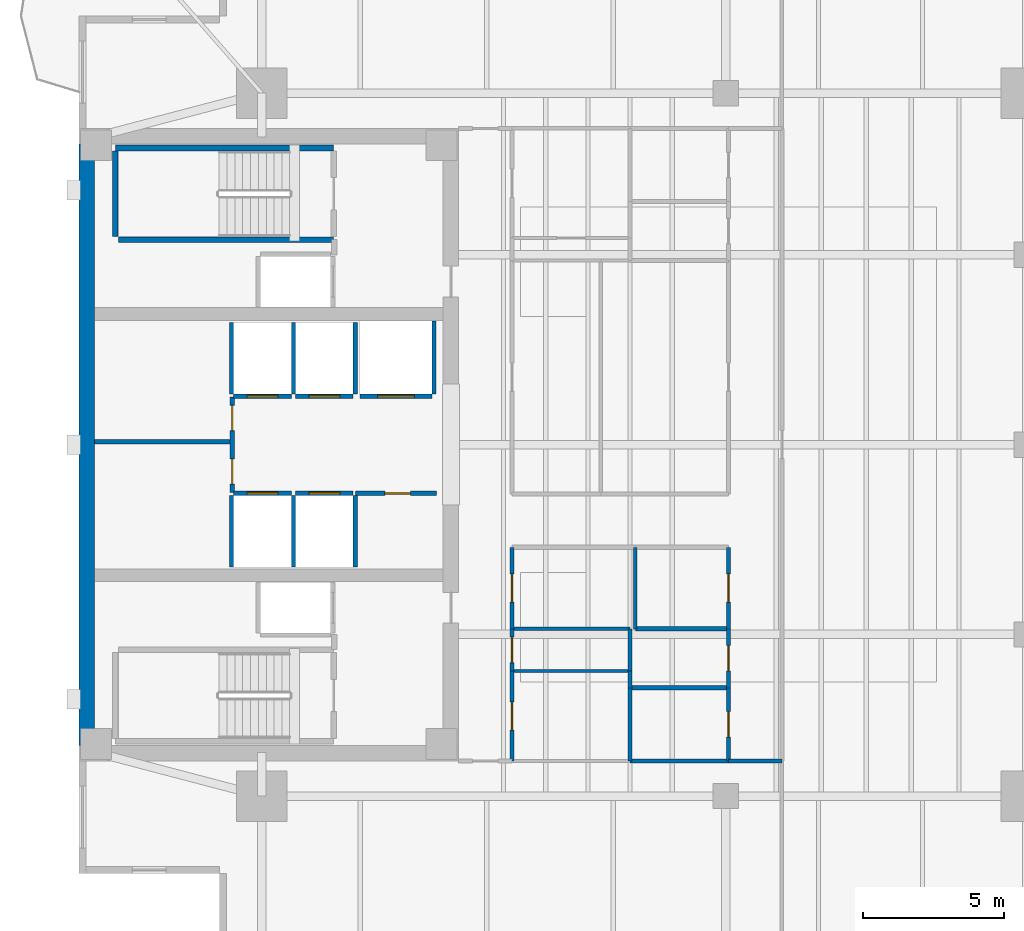
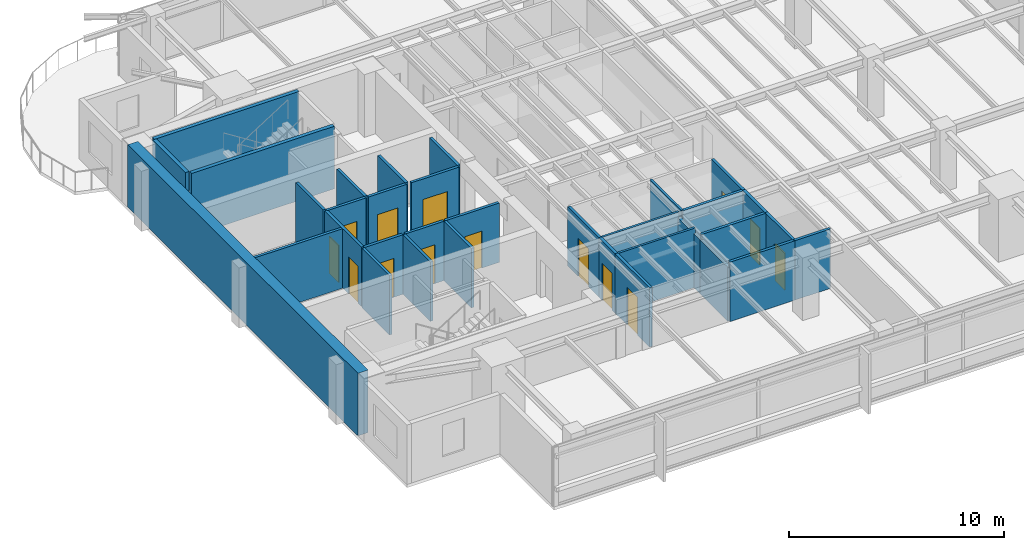
# One storey, part 8 of 14: 35 walls, 14 doors, 14 openings.
"""IFC4 building model written with IfcOpenShell, lengths in metres."""

from ifc_helpers import new_model, si_unit, direction, frame, frame_2d, origin, place, context, subcontext, project, spatial, rectangle, extrude, material, layer, layer_set, type_object, element, fill, save


model = new_model("IFC4")

# Units and contexts
model_context = context("Model", 3, precision=1e-05, world=origin(), true_north=direction((0.0, 1.0)))
body_context = subcontext(model_context, "Body", "Model", "MODEL_VIEW")
ifc_project = project(units=[si_unit("LENGTHUNIT", "METRE"), si_unit("AREAUNIT", "SQUARE_METRE"), si_unit("VOLUMEUNIT", "CUBIC_METRE"), si_unit("PLANEANGLEUNIT", "RADIAN"), si_unit("MASSUNIT", "GRAM", prefix="KILO")], contexts=[model_context])

# Site, building, storey
site_placement = place(None, origin())
site = spatial("IfcSite", under=ifc_project, at=site_placement, CompositionType="ELEMENT")
building_placement = place(site_placement, origin())
building = spatial("IfcBuilding", under=site, at=building_placement, Name="Kinhvarn Gate Tower", CompositionType="ELEMENT")
storey_placement = place(building_placement, frame((0.0, 0.0, 198.699951171875)))
storey = spatial("IfcBuildingStorey", under=building, at=storey_placement, Name="L52", CompositionType="ELEMENT", Elevation=198.699951171875)

# Walls
ifc_material_1 = material(Name="Concrete C60/75", Category="concrete")
ifc_layer_1 = layer(ifc_material_1, 0.550048828125)
ifc_layer_set_1 = layer_set([ifc_layer_1], Name="Concrete C60/75")
wall_type_1 = type_object("IfcWallType", Name="WL-COREX-550", PredefinedType="SHEAR", material=ifc_layer_set_1)
wall_1_placement = place(storey_placement, frame((4.77490234375, 14.550048828125, 0.0), z_axis=(0.0, 0.0, 1.0), x_axis=(0.0, 1.0, 0.0)))
element("IfcWall", 1, at=wall_1_placement, inside=storey, type_object=wall_type_1, Name="Core West Shear Wall L52 550 mm", PredefinedType="SHEAR", context=body_context, shape_type="SweptSolid", body=[
    extrude(rectangle(XDim=21.39990234375, YDim=0.550048828125, at=frame_2d((10.699951171875, 0.0))), origin(), (0.0, 0.0, 1.0), 3.550048828125),
])
ifc_material_2 = material(Name="Gypsum acoustic partition board")
ifc_layer_2 = layer(ifc_material_2, 0.14990234375)
ifc_layer_set_2 = layer_set([ifc_layer_2], Name="Gypsum acoustic partition board")
wall_type_2 = type_object("IfcWallType", Name="WL-PLM-150", PredefinedType="PLUMBINGWALL", material=ifc_layer_set_2)
wall_2_placement = place(storey_placement, frame((24.10009765625, 16.60009765625, 0.0), z_axis=(0.0, 0.0, 1.0), x_axis=(1.0, 0.0, 0.0)))
element("IfcWall", 2, at=wall_2_placement, inside=storey, type_object=wall_type_2, Name="Interior Partition PLW-150 (L52)", PredefinedType="PLUMBINGWALL", context=body_context, shape_type="SweptSolid", body=[
    extrude(rectangle(XDim=3.5, YDim=0.14990234375, at=frame_2d((1.75, 0.0))), origin(), (0.0, 0.0, 1.0), 3.3701171875),
])
wall_3_placement = place(storey_placement, frame((24.10009765625, 14.0, 0.0), z_axis=(0.0, 0.0, 1.0), x_axis=(0.0, 1.0, 0.0)))
element("IfcWall", 3, at=wall_3_placement, inside=storey, type_object=wall_type_2, Name="Interior Partition PLW-150 (L52)", PredefinedType="PLUMBINGWALL", context=body_context, shape_type="SweptSolid", body=[
    extrude(rectangle(XDim=2.60009765625, YDim=0.14990234375, at=frame_2d((1.300048828125, 0.0))), origin(), (0.0, 0.0, 1.0), 3.070068359375),
])
wall_4_placement = place(storey_placement, frame((24.10009765625, 14.0, 0.0), z_axis=(0.0, 0.0, 1.0), x_axis=(1.0, 0.0, 0.0)))
element("IfcWall", 4, at=wall_4_placement, inside=storey, type_object=wall_type_2, Name="Interior Partition PLW-150 (L52)", PredefinedType="PLUMBINGWALL", context=body_context, shape_type="SweptSolid", body=[
    extrude(rectangle(XDim=3.5, YDim=0.14990234375, at=frame_2d((1.75, 0.0))), origin(), (0.0, 0.0, 1.0), 3.3701171875),
])
wall_5_placement = place(storey_placement, frame((24.10009765625, 16.60009765625, 0.0), z_axis=(0.0, 0.0, 1.0), x_axis=(0.0, 1.0, 0.0)))
element("IfcWall", 5, at=wall_5_placement, inside=storey, type_object=wall_type_2, Name="Interior Partition PLW-150 (L52)", PredefinedType="PLUMBINGWALL", context=body_context, shape_type="SweptSolid", body=[
    extrude(rectangle(XDim=0.599853515625, YDim=0.14990234375, at=frame_2d((0.2998046875, 0.0))), origin(), (0.0, 0.0, 1.0), 3.070068359375),
])
wall_6_placement = place(storey_placement, frame((24.10009765625, 17.199951171875, 0.0), z_axis=(0.0, 0.0, 1.0), x_axis=(0.0, 1.0, 0.0)))
element("IfcWall", 6, at=wall_6_placement, inside=storey, type_object=wall_type_2, Name="Interior Partition PLW-150 (L52)", PredefinedType="PLUMBINGWALL", context=body_context, shape_type="SweptSolid", body=[
    extrude(rectangle(XDim=1.5, YDim=0.14990234375, at=frame_2d((0.75, 0.0))), origin(), (0.0, 0.0, 1.0), 3.070068359375),
])
wall_7_placement = place(storey_placement, frame((24.2900390625, 18.699951171875, 0.0), z_axis=(0.0, 0.0, 1.0), x_axis=(1.0, 0.0, 0.0)))
element("IfcWall", 7, at=wall_7_placement, inside=storey, type_object=wall_type_2, Name="Interior Partition PLW-150 (L52)", PredefinedType="PLUMBINGWALL", context=body_context, shape_type="SweptSolid", body=[
    extrude(rectangle(XDim=3.31005859375, YDim=0.14990234375, at=frame_2d((1.655029296875, 0.0))), origin(), (0.0, 0.0, 1.0), 3.3701171875),
])

# Wall, opening, door
ifc_layer_3 = layer(ifc_material_2, 0.14990234375)
ifc_layer_set_3 = layer_set([ifc_layer_3], Name="Gypsum acoustic partition board")
wall_type_3 = type_object("IfcWallType", Name="WL-PLM-150F", PredefinedType="PLUMBINGWALL", material=ifc_layer_set_3)
wall_8_placement = place(storey_placement, frame((27.60009765625, 14.0, 0.0), z_axis=(0.0, 0.0, 1.0), x_axis=(0.0, 1.0, 0.0)))
wall_8 = element("IfcWall", 8, at=wall_8_placement, inside=storey, type_object=wall_type_3, Name="Interior Partition PLW-150F (L52)", PredefinedType="PLUMBINGWALL", context=body_context, shape_type="SweptSolid", body=[
    extrude(rectangle(XDim=2.60009765625, YDim=0.14990234375, at=frame_2d((1.300048828125, 0.0))), origin(), (0.0, 0.0, 1.0), 3.3701171875),
])
opening_1_placement = place(wall_8_placement, frame((0.85009765625, 0.0, 0.0)))
opening_1 = element("IfcOpeningElement", 9, at=opening_1_placement, cuts=wall_8, Name="Opening FD-04", PredefinedType="OPENING", context=body_context, shape_type="SweptSolid", body=[
    extrude(rectangle(XDim=0.89990234375, YDim=2.10009765625, at=frame_2d((0.449951171875, 1.050048828125))), frame((0.0, 0.0849609375, 0.0), z_axis=(0.0, -1.0, 0.0), x_axis=(1.0, 0.0, 0.0)), (0.0, 0.0, 1.0), 0.169921875),
])
ifc_material_3 = material(Name="Anodised aluminium AW-6063", Category="aluminium")
door_type_1 = type_object("IfcDoorType", Name="DR-FD-900", OperationType="NOTDEFINED", PredefinedType="DOOR", material=ifc_material_3)
door_1_placement = place(opening_1_placement, origin())
door_1 = element("IfcDoor", 10, at=door_1_placement, inside=storey, type_object=door_type_1, Name="Rated Riser & Service Closet Fire Door 900x2100 mm (L52)", OperationType="SINGLE_SWING_LEFT", OverallHeight=2.10009765625, OverallWidth=0.89990234375, PredefinedType="DOOR", context=body_context, shape_type="SweptSolid", body=[
    extrude(rectangle(XDim=0.89990234375, YDim=2.10009765625, at=frame_2d((0.449951171875, 1.050048828125))), frame((0.0, 0.02490234375, 0.0), z_axis=(0.0, -1.0, 0.0), x_axis=(1.0, 0.0, 0.0)), (0.0, 0.0, 1.0), 0.050048828125),
])
fill(opening_1, door_1)

wall_9_placement = place(storey_placement, frame((27.60009765625, 16.60009765625, 0.0), z_axis=(0.0, 0.0, 1.0), x_axis=(0.0, 1.0, 0.0)))
wall_9 = element("IfcWall", 11, at=wall_9_placement, inside=storey, type_object=wall_type_3, Name="Interior Partition PLW-150F (L52)", PredefinedType="PLUMBINGWALL", context=body_context, shape_type="SweptSolid", body=[
    extrude(rectangle(XDim=2.099853515625, YDim=0.14990234375, at=frame_2d((1.0498046875, 0.0))), origin(), (0.0, 0.0, 1.0), 3.3701171875),
])
opening_2_placement = place(wall_9_placement, frame((0.60009765625, 0.0, 0.0)))
opening_2 = element("IfcOpeningElement", 12, at=opening_2_placement, cuts=wall_9, Name="Opening FD-04", PredefinedType="OPENING", context=body_context, shape_type="SweptSolid", body=[
    extrude(rectangle(XDim=0.89990234375, YDim=2.10009765625, at=frame_2d((0.449951171875, 1.050048828125))), frame((0.0, 0.0849609375, 0.0), z_axis=(0.0, -1.0, 0.0), x_axis=(1.0, 0.0, 0.0)), (0.0, 0.0, 1.0), 0.169921875),
])
door_2_placement = place(opening_2_placement, origin())
door_2 = element("IfcDoor", 13, at=door_2_placement, inside=storey, type_object=door_type_1, Name="Rated Riser & Service Closet Fire Door 900x2100 mm (L52)", OperationType="SINGLE_SWING_LEFT", OverallHeight=2.10009765625, OverallWidth=0.89990234375, PredefinedType="DOOR", context=body_context, shape_type="SweptSolid", body=[
    extrude(rectangle(XDim=0.89990234375, YDim=2.10009765625, at=frame_2d((0.449951171875, 1.050048828125))), frame((0.0, 0.02490234375, 0.0), z_axis=(0.0, -1.0, 0.0), x_axis=(1.0, 0.0, 0.0)), (0.0, 0.0, 1.0), 0.050048828125),
])
fill(opening_2, door_2)

# Walls
ifc_layer_4 = layer(ifc_material_2, 0.1201171875)
ifc_layer_set_4 = layer_set([ifc_layer_4], Name="Gypsum acoustic partition board")
wall_type_4 = type_object("IfcWallType", Name="WL-PRT-120", PredefinedType="PARTITIONING", material=ifc_layer_set_4)
for number, where, z_axis, x_axis, name in (
    (14, (19.89990234375, 17.199951171875, 0.0), (0.0, 0.0, 1.0), (1.0, 0.0, 0.0), "Interior Partition PW-120 (L52)"),
    (15, (19.89990234375, 18.699951171875, 0.0), (0.0, 0.0, 1.0), (1.0, 0.0, 0.0), "Interior Partition PW-120 (L52)"),
):
    element("IfcWall", number, at=place(storey_placement, frame(where, z_axis=z_axis, x_axis=x_axis)), inside=storey, type_object=wall_type_4, Name=name, PredefinedType="PARTITIONING", context=body_context, shape_type="SweptSolid", body=[
        extrude(rectangle(XDim=4.2001953125, YDim=0.1201171875, at=frame_2d((2.10009765625, 0.0))), origin(), (0.0, 0.0, 1.0), 3.3701171875),
    ])
wall_10_placement = place(storey_placement, frame((24.2900390625, 18.699951171875, 0.0), z_axis=(0.0, 0.0, 1.0), x_axis=(0.0, 1.0, 0.0)))
element("IfcWall", 16, at=wall_10_placement, inside=storey, type_object=wall_type_4, Name="Interior Partition PW-120 (L52)", PredefinedType="PARTITIONING", context=body_context, shape_type="SweptSolid", body=[
    extrude(rectangle(XDim=2.900146484375, YDim=0.1201171875, at=frame_2d((1.4501953125, 0.0))), origin(), (0.0, 0.0, 1.0), 3.3701171875),
])
ifc_layer_5 = layer(ifc_material_2, 0.14990234375)
ifc_layer_set_5 = layer_set([ifc_layer_5], Name="Gypsum acoustic partition board")
wall_type_5 = type_object("IfcWallType", Name="WL-PRT-150F", PredefinedType="PARTITIONING", material=ifc_layer_set_5)
wall_11_placement = place(storey_placement, frame((5.050048828125, 25.35009765625, 0.0), z_axis=(0.0, 0.0, 1.0), x_axis=(1.0, 0.0, 0.0)))
element("IfcWall", 17, at=wall_11_placement, inside=storey, type_object=wall_type_5, Name="Interior Partition PW-150F (L52)", PredefinedType="PARTITIONING", context=body_context, shape_type="SweptSolid", body=[
    extrude(rectangle(XDim=4.89990234375, YDim=0.14990234375, at=frame_2d((2.449951171875, 0.0))), origin(), (0.0, 0.0, 1.0), 3.3701171875),
])

# Wall, openings, doors
wall_12_placement = place(storey_placement, frame((9.949951171875, 23.550048828125, 0.0), z_axis=(0.0, 0.0, 1.0), x_axis=(0.0, 1.0, 0.0)))
wall_12 = element("IfcWall", 18, at=wall_12_placement, inside=storey, type_object=wall_type_5, Name="Interior Partition PW-150F (L52)", PredefinedType="PARTITIONING", context=body_context, shape_type="SweptSolid", body=[
    extrude(rectangle(XDim=3.39990234375, YDim=0.14990234375, at=frame_2d((1.699951171875, 0.0))), origin(), (0.0, 0.0, 1.0), 3.3701171875),
])
opening_3_placement = place(wall_12_placement, frame((0.298095703125, 0.0, 0.0)))
opening_3 = element("IfcOpeningElement", 19, at=opening_3_placement, cuts=wall_12, Name="Opening FD-04", PredefinedType="OPENING", context=body_context, shape_type="SweptSolid", body=[
    extrude(rectangle(XDim=0.89990234375, YDim=2.10009765625, at=frame_2d((0.449951171875, 1.050048828125))), frame((0.0, 0.0849609375, 0.0), z_axis=(0.0, -1.0, 0.0), x_axis=(1.0, 0.0, 0.0)), (0.0, 0.0, 1.0), 0.169921875),
])
opening_4_placement = place(wall_12_placement, frame((2.201904296875, 0.0, 0.0)))
opening_4 = element("IfcOpeningElement", 20, at=opening_4_placement, cuts=wall_12, Name="Opening FD-04", PredefinedType="OPENING", context=body_context, shape_type="SweptSolid", body=[
    extrude(rectangle(XDim=0.89990234375, YDim=2.10009765625, at=frame_2d((0.449951171875, 1.050048828125))), frame((0.0, 0.0849609375, 0.0), z_axis=(0.0, -1.0, 0.0), x_axis=(1.0, 0.0, 0.0)), (0.0, 0.0, 1.0), 0.169921875),
])
door_3_placement = place(opening_3_placement, origin())
door_3 = element("IfcDoor", 21, at=door_3_placement, inside=storey, type_object=door_type_1, Name="Rated Riser & Service Closet Fire Door 900x2100 mm (L52)", OperationType="SINGLE_SWING_LEFT", OverallHeight=2.10009765625, OverallWidth=0.89990234375, PredefinedType="DOOR", context=body_context, shape_type="SweptSolid", body=[
    extrude(rectangle(XDim=0.89990234375, YDim=2.10009765625, at=frame_2d((0.449951171875, 1.050048828125))), frame((0.0, 0.02490234375, 0.0), z_axis=(0.0, -1.0, 0.0), x_axis=(1.0, 0.0, 0.0)), (0.0, 0.0, 1.0), 0.050048828125),
])
fill(opening_3, door_3)
door_4_placement = place(opening_4_placement, origin())
door_4 = element("IfcDoor", 22, at=door_4_placement, inside=storey, type_object=door_type_1, Name="Rated Riser & Service Closet Fire Door 900x2100 mm (L52)", OperationType="SINGLE_SWING_RIGHT", OverallHeight=2.10009765625, OverallWidth=0.89990234375, PredefinedType="DOOR", context=body_context, shape_type="SweptSolid", body=[
    extrude(rectangle(XDim=0.89990234375, YDim=2.10009765625, at=frame_2d((0.449951171875, 1.050048828125))), frame((0.0, 0.02490234375, 0.0), z_axis=(0.0, -1.0, 0.0), x_axis=(1.0, 0.0, 0.0)), (0.0, 0.0, 1.0), 0.050048828125),
])
fill(opening_4, door_4)

# Wall, opening, door
wall_13_placement = place(storey_placement, frame((14.330078125, 23.52001953125, 0.0), z_axis=(0.0, 0.0, 1.0), x_axis=(1.0, 0.0, 0.0)))
wall_13 = element("IfcWall", 23, at=wall_13_placement, inside=storey, type_object=wall_type_5, Name="Interior Partition PW-150F (L52)", PredefinedType="PARTITIONING", context=body_context, shape_type="SweptSolid", body=[
    extrude(rectangle(XDim=2.889892578125, YDim=0.14990234375, at=frame_2d((1.44482421875, 0.0))), origin(), (0.0, 0.0, 1.0), 3.3701171875),
])
opening_5_placement = place(wall_13_placement, frame((1.052734375, 0.0, 0.0)))
opening_5 = element("IfcOpeningElement", 24, at=opening_5_placement, cuts=wall_13, Name="Opening FD-04", PredefinedType="OPENING", context=body_context, shape_type="SweptSolid", body=[
    extrude(rectangle(XDim=0.89990234375, YDim=2.10009765625, at=frame_2d((0.449951171875, 1.050048828125))), frame((0.0, 0.0849609375, 0.0), z_axis=(0.0, -1.0, 0.0), x_axis=(1.0, 0.0, 0.0)), (0.0, 0.0, 1.0), 0.169921875),
])
door_5_placement = place(opening_5_placement, origin())
door_5 = element("IfcDoor", 25, at=door_5_placement, inside=storey, type_object=door_type_1, Name="Rated Riser & Service Closet Fire Door 900x2100 mm (L52)", OperationType="SINGLE_SWING_LEFT", OverallHeight=2.10009765625, OverallWidth=0.89990234375, PredefinedType="DOOR", context=body_context, shape_type="SweptSolid", body=[
    extrude(rectangle(XDim=0.89990234375, YDim=2.10009765625, at=frame_2d((0.449951171875, 1.050048828125))), frame((0.0, 0.02490234375, 0.0), z_axis=(0.0, -1.0, 0.0), x_axis=(1.0, 0.0, 0.0)), (0.0, 0.0, 1.0), 0.050048828125),
])
fill(opening_5, door_5)

wall_14_placement = place(storey_placement, frame((19.89990234375, 14.0, 0.0), z_axis=(0.0, 0.0, 1.0), x_axis=(0.0, 1.0, 0.0)))
wall_14 = element("IfcWall", 26, at=wall_14_placement, inside=storey, type_object=wall_type_5, Name="Interior Partition PW-150F (L52)", PredefinedType="PARTITIONING", context=body_context, shape_type="SweptSolid", body=[
    extrude(rectangle(XDim=3.199951171875, YDim=0.14990234375, at=frame_2d((1.60009765625, 0.0))), origin(), (0.0, 0.0, 1.0), 3.3701171875),
])
opening_6_placement = place(wall_14_placement, frame((1.10009765625, 0.0, 0.0)))
opening_6 = element("IfcOpeningElement", 27, at=opening_6_placement, cuts=wall_14, Name="Opening ID-02", PredefinedType="OPENING", context=body_context, shape_type="SweptSolid", body=[
    extrude(rectangle(XDim=1.0, YDim=2.14990234375, at=frame_2d((0.5, 1.074951171875))), frame((0.0, 0.0849609375, 0.0), z_axis=(0.0, -1.0, 0.0), x_axis=(1.0, 0.0, 0.0)), (0.0, 0.0, 1.0), 0.169921875),
])
door_type_2 = type_object("IfcDoorType", Name="DR-INT-1000", OperationType="NOTDEFINED", PredefinedType="DOOR", material=ifc_material_3)
door_6_placement = place(opening_6_placement, origin())
door_6 = element("IfcDoor", 28, at=door_6_placement, inside=storey, type_object=door_type_2, Name="Standard Office & Meeting Room Door 1000x2150 mm (L52)", OperationType="SINGLE_SWING_RIGHT", OverallHeight=2.14990234375, OverallWidth=1.0, PredefinedType="DOOR", context=body_context, shape_type="SweptSolid", body=[
    extrude(rectangle(XDim=1.0, YDim=2.14990234375, at=frame_2d((0.5, 1.074951171875))), frame((0.0, 0.02490234375, 0.0), z_axis=(0.0, -1.0, 0.0), x_axis=(1.0, 0.0, 0.0)), (0.0, 0.0, 1.0), 0.050048828125),
])
fill(opening_6, door_6)

wall_15_placement = place(storey_placement, frame((19.89990234375, 17.199951171875, 0.0), z_axis=(0.0, 0.0, 1.0), x_axis=(0.0, 1.0, 0.0)))
wall_15 = element("IfcWall", 29, at=wall_15_placement, inside=storey, type_object=wall_type_5, Name="Interior Partition PW-150F (L52)", PredefinedType="PARTITIONING", context=body_context, shape_type="SweptSolid", body=[
    extrude(rectangle(XDim=1.5, YDim=0.14990234375, at=frame_2d((0.75, 0.0))), origin(), (0.0, 0.0, 1.0), 3.3701171875),
])
opening_7_placement = place(wall_15_placement, frame((0.300048828125, 0.0, 0.0)))
opening_7 = element("IfcOpeningElement", 30, at=opening_7_placement, cuts=wall_15, Name="Opening ID-03", PredefinedType="OPENING", context=body_context, shape_type="SweptSolid", body=[
    extrude(rectangle(XDim=0.89990234375, YDim=2.10009765625, at=frame_2d((0.449951171875, 1.050048828125))), frame((0.0, 0.0849609375, 0.0), z_axis=(0.0, -1.0, 0.0), x_axis=(1.0, 0.0, 0.0)), (0.0, 0.0, 1.0), 0.169921875),
])
door_type_3 = type_object("IfcDoorType", Name="DR-INT-900", OperationType="NOTDEFINED", PredefinedType="DOOR", material=ifc_material_3)
door_7_placement = place(opening_7_placement, origin())
door_7 = element("IfcDoor", 31, at=door_7_placement, inside=storey, type_object=door_type_3, Name="Cellular Office & Restroom Door 900x2100 mm (L52)", OperationType="SINGLE_SWING_LEFT", OverallHeight=2.10009765625, OverallWidth=0.89990234375, PredefinedType="DOOR", context=body_context, shape_type="SweptSolid", body=[
    extrude(rectangle(XDim=0.89990234375, YDim=2.10009765625, at=frame_2d((0.449951171875, 1.050048828125))), frame((0.0, 0.02490234375, 0.0), z_axis=(0.0, -1.0, 0.0), x_axis=(1.0, 0.0, 0.0)), (0.0, 0.0, 1.0), 0.050048828125),
])
fill(opening_7, door_7)

wall_16_placement = place(storey_placement, frame((19.89990234375, 18.699951171875, 0.0), z_axis=(0.0, 0.0, 1.0), x_axis=(0.0, 1.0, 0.0)))
wall_16 = element("IfcWall", 32, at=wall_16_placement, inside=storey, type_object=wall_type_5, Name="Interior Partition PW-150F (L52)", PredefinedType="PARTITIONING", context=body_context, shape_type="SweptSolid", body=[
    extrude(rectangle(XDim=2.900146484375, YDim=0.14990234375, at=frame_2d((1.4501953125, 0.0))), origin(), (0.0, 0.0, 1.0), 3.3701171875),
])
opening_8_placement = place(wall_16_placement, frame((0.949951171875, 0.0, 0.0)))
opening_8 = element("IfcOpeningElement", 33, at=opening_8_placement, cuts=wall_16, Name="Opening ID-02", PredefinedType="OPENING", context=body_context, shape_type="SweptSolid", body=[
    extrude(rectangle(XDim=1.0, YDim=2.14990234375, at=frame_2d((0.5, 1.074951171875))), frame((0.0, 0.0849609375, 0.0), z_axis=(0.0, -1.0, 0.0), x_axis=(1.0, 0.0, 0.0)), (0.0, 0.0, 1.0), 0.169921875),
])
door_8_placement = place(opening_8_placement, origin())
door_8 = element("IfcDoor", 34, at=door_8_placement, inside=storey, type_object=door_type_2, Name="Standard Office & Meeting Room Door 1000x2150 mm (L52)", OperationType="SINGLE_SWING_LEFT", OverallHeight=2.14990234375, OverallWidth=1.0, PredefinedType="DOOR", context=body_context, shape_type="SweptSolid", body=[
    extrude(rectangle(XDim=1.0, YDim=2.14990234375, at=frame_2d((0.5, 1.074951171875))), frame((0.0, 0.02490234375, 0.0), z_axis=(0.0, -1.0, 0.0), x_axis=(1.0, 0.0, 0.0)), (0.0, 0.0, 1.0), 0.050048828125),
])
fill(opening_8, door_8)

wall_17_placement = place(storey_placement, frame((27.60009765625, 18.699951171875, 0.0), z_axis=(0.0, 0.0, 1.0), x_axis=(0.0, 1.0, 0.0)))
wall_17 = element("IfcWall", 35, at=wall_17_placement, inside=storey, type_object=wall_type_5, Name="Interior Partition PW-150F (L52)", PredefinedType="PARTITIONING", context=body_context, shape_type="SweptSolid", body=[
    extrude(rectangle(XDim=2.900146484375, YDim=0.14990234375, at=frame_2d((1.4501953125, 0.0))), origin(), (0.0, 0.0, 1.0), 3.3701171875),
])
opening_9_placement = place(wall_17_placement, frame((0.949951171875, 0.0, 0.0)))
opening_9 = element("IfcOpeningElement", 36, at=opening_9_placement, cuts=wall_17, Name="Opening ID-02", PredefinedType="OPENING", context=body_context, shape_type="SweptSolid", body=[
    extrude(rectangle(XDim=1.0, YDim=2.14990234375, at=frame_2d((0.5, 1.074951171875))), frame((0.0, 0.0849609375, 0.0), z_axis=(0.0, -1.0, 0.0), x_axis=(1.0, 0.0, 0.0)), (0.0, 0.0, 1.0), 0.169921875),
])
door_9_placement = place(opening_9_placement, origin())
door_9 = element("IfcDoor", 37, at=door_9_placement, inside=storey, type_object=door_type_2, Name="Standard Office & Meeting Room Door 1000x2150 mm (L52)", OperationType="SINGLE_SWING_LEFT", OverallHeight=2.14990234375, OverallWidth=1.0, PredefinedType="DOOR", context=body_context, shape_type="SweptSolid", body=[
    extrude(rectangle(XDim=1.0, YDim=2.14990234375, at=frame_2d((0.5, 1.074951171875))), frame((0.0, 0.02490234375, 0.0), z_axis=(0.0, -1.0, 0.0), x_axis=(1.0, 0.0, 0.0)), (0.0, 0.0, 1.0), 0.050048828125),
])
fill(opening_9, door_9)

# Wall
wall_18_placement = place(storey_placement, frame((27.60009765625, 14.0, 0.0), z_axis=(0.0, 0.0, 1.0), x_axis=(1.0, 0.0, 0.0)))
element("IfcWall", 38, at=wall_18_placement, inside=storey, type_object=wall_type_5, Name="Interior Partition PW-150F (L52)", PredefinedType="PARTITIONING", context=body_context, shape_type="SweptSolid", body=[
    extrude(rectangle(XDim=1.89990234375, YDim=0.14990234375, at=frame_2d((0.949951171875, 0.0))), origin(), (0.0, 0.0, 1.0), 3.3701171875),
])

# Wall, opening, door
ifc_layer_6 = layer(ifc_material_2, 0.14990234375)
ifc_layer_set_6 = layer_set([ifc_layer_6], Name="Gypsum acoustic partition board")
wall_type_6 = type_object("IfcWallType", Name="WL-SHF-150", PredefinedType="PARTITIONING", material=ifc_layer_set_6)
wall_19_placement = place(storey_placement, frame((10.0, 23.52490234375, 0.0), z_axis=(0.0, 0.0, 1.0), x_axis=(1.0, 0.0, 0.0)))
wall_19 = element("IfcWall", 39, at=wall_19_placement, inside=storey, type_object=wall_type_6, Name="Elevator PH-09 Landing Wall (L52)", PredefinedType="PARTITIONING", context=body_context, shape_type="SweptSolid", body=[
    extrude(rectangle(XDim=2.050048828125, YDim=0.14990234375, at=frame_2d((1.02490234375, 0.0))), origin(), (0.0, 0.0, 1.0), 3.3701171875),
])
opening_10_placement = place(wall_19_placement, frame((0.47509765625, 0.0, 0.0)))
opening_10 = element("IfcOpeningElement", 40, at=opening_10_placement, cuts=wall_19, Name="Opening LD-01", PredefinedType="OPENING", context=body_context, shape_type="SweptSolid", body=[
    extrude(rectangle(XDim=1.10009765625, YDim=2.199951171875, at=frame_2d((0.550048828125, 1.10009765625))), frame((0.0, 0.0849609375, 0.0), z_axis=(0.0, -1.0, 0.0), x_axis=(1.0, 0.0, 0.0)), (0.0, 0.0, 1.0), 0.169921875),
])
door_type_4 = type_object("IfcDoorType", Name="DR-LND-PAS", OperationType="NOTDEFINED", PredefinedType="DOOR", material=ifc_material_3)
door_10_placement = place(opening_10_placement, origin())
door_10 = element("IfcDoor", 41, at=door_10_placement, inside=storey, type_object=door_type_4, Name="Elevator PH-09 Sliding Landing Door (L52)", OperationType="DOUBLE_DOOR_SLIDING", OverallHeight=2.199951171875, OverallWidth=1.10009765625, PredefinedType="DOOR", context=body_context, shape_type="SweptSolid", body=[
    extrude(rectangle(XDim=1.10009765625, YDim=2.199951171875, at=frame_2d((0.550048828125, 1.10009765625))), frame((0.0, 0.02490234375, 0.0), z_axis=(0.0, -1.0, 0.0), x_axis=(1.0, 0.0, 0.0)), (0.0, 0.0, 1.0), 0.050048828125),
])
fill(opening_10, door_10)

# Walls
for number, where, z_axis, x_axis, name in (
    (42, (9.925048828125, 20.89990234375, 0.0), (0.0, 0.0, 1.0), (0.0, 1.0, 0.0), "Elevator PH-09 Hoistway Wall W (L52)"),
    (43, (12.125, 20.89990234375, 0.0), (0.0, 0.0, 1.0), (0.0, 1.0, 0.0), "Elevator PH-09 Hoistway Wall E (L52)"),
):
    element("IfcWall", number, at=place(storey_placement, frame(where, z_axis=z_axis, x_axis=x_axis)), inside=storey, type_object=wall_type_6, Name=name, PredefinedType="PARTITIONING", context=body_context, shape_type="SweptSolid", body=[
        extrude(rectangle(XDim=2.550048828125, YDim=0.14990234375, at=frame_2d((1.27490234375, 0.0))), origin(), (0.0, 0.0, 1.0), 3.3701171875),
    ])

# Wall, opening, door
wall_20_placement = place(storey_placement, frame((12.199951171875, 23.52490234375, 0.0), z_axis=(0.0, 0.0, 1.0), x_axis=(1.0, 0.0, 0.0)))
wall_20 = element("IfcWall", 44, at=wall_20_placement, inside=storey, type_object=wall_type_6, Name="Elevator PH-10 Landing Wall (L52)", PredefinedType="PARTITIONING", context=body_context, shape_type="SweptSolid", body=[
    extrude(rectangle(XDim=2.050048828125, YDim=0.14990234375, at=frame_2d((1.02490234375, 0.0))), origin(), (0.0, 0.0, 1.0), 3.3701171875),
])
opening_11_placement = place(wall_20_placement, frame((0.47509765625, 0.0, 0.0)))
opening_11 = element("IfcOpeningElement", 45, at=opening_11_placement, cuts=wall_20, Name="Opening LD-01", PredefinedType="OPENING", context=body_context, shape_type="SweptSolid", body=[
    extrude(rectangle(XDim=1.10009765625, YDim=2.199951171875, at=frame_2d((0.550048828125, 1.10009765625))), frame((0.0, 0.0849609375, 0.0), z_axis=(0.0, -1.0, 0.0), x_axis=(1.0, 0.0, 0.0)), (0.0, 0.0, 1.0), 0.169921875),
])
door_11_placement = place(opening_11_placement, origin())
door_11 = element("IfcDoor", 46, at=door_11_placement, inside=storey, type_object=door_type_4, Name="Elevator PH-10 Sliding Landing Door (L52)", OperationType="DOUBLE_DOOR_SLIDING", OverallHeight=2.199951171875, OverallWidth=1.10009765625, PredefinedType="DOOR", context=body_context, shape_type="SweptSolid", body=[
    extrude(rectangle(XDim=1.10009765625, YDim=2.199951171875, at=frame_2d((0.550048828125, 1.10009765625))), frame((0.0, 0.02490234375, 0.0), z_axis=(0.0, -1.0, 0.0), x_axis=(1.0, 0.0, 0.0)), (0.0, 0.0, 1.0), 0.050048828125),
])
fill(opening_11, door_11)

# Wall
wall_21_placement = place(storey_placement, frame((14.324951171875, 20.89990234375, 0.0), z_axis=(0.0, 0.0, 1.0), x_axis=(0.0, 1.0, 0.0)))
element("IfcWall", 47, at=wall_21_placement, inside=storey, type_object=wall_type_6, Name="Elevator PH-10 Hoistway Wall E (L52)", PredefinedType="PARTITIONING", context=body_context, shape_type="SweptSolid", body=[
    extrude(rectangle(XDim=2.550048828125, YDim=0.14990234375, at=frame_2d((1.27490234375, 0.0))), origin(), (0.0, 0.0, 1.0), 3.3701171875),
])

# Wall, opening, door
wall_22_placement = place(storey_placement, frame((10.0, 26.97509765625, 0.0), z_axis=(0.0, 0.0, 1.0), x_axis=(1.0, 0.0, 0.0)))
wall_22 = element("IfcWall", 48, at=wall_22_placement, inside=storey, type_object=wall_type_6, Name="Elevator PH-11 Landing Wall (L52)", PredefinedType="PARTITIONING", context=body_context, shape_type="SweptSolid", body=[
    extrude(rectangle(XDim=2.050048828125, YDim=0.14990234375, at=frame_2d((1.02490234375, 0.0))), origin(), (0.0, 0.0, 1.0), 3.3701171875),
])
opening_12_placement = place(wall_22_placement, frame((0.47509765625, 0.0, 0.0)))
opening_12 = element("IfcOpeningElement", 49, at=opening_12_placement, cuts=wall_22, Name="Opening LD-01", PredefinedType="OPENING", context=body_context, shape_type="SweptSolid", body=[
    extrude(rectangle(XDim=1.10009765625, YDim=2.199951171875, at=frame_2d((0.550048828125, 1.10009765625))), frame((0.0, 0.0849609375, 0.0), z_axis=(0.0, -1.0, 0.0), x_axis=(1.0, 0.0, 0.0)), (0.0, 0.0, 1.0), 0.169921875),
])
door_12_placement = place(opening_12_placement, origin())
door_12 = element("IfcDoor", 50, at=door_12_placement, inside=storey, type_object=door_type_4, Name="Elevator PH-11 Sliding Landing Door (L52)", OperationType="DOUBLE_DOOR_SLIDING", OverallHeight=2.199951171875, OverallWidth=1.10009765625, PredefinedType="DOOR", context=body_context, shape_type="SweptSolid", body=[
    extrude(rectangle(XDim=1.10009765625, YDim=2.199951171875, at=frame_2d((0.550048828125, 1.10009765625))), frame((0.0, 0.02490234375, 0.0), z_axis=(0.0, -1.0, 0.0), x_axis=(1.0, 0.0, 0.0)), (0.0, 0.0, 1.0), 0.050048828125),
])
fill(opening_12, door_12)

# Walls
for number, where, z_axis, x_axis, name in (
    (51, (9.925048828125, 27.050048828125, 0.0), (0.0, 0.0, 1.0), (0.0, 1.0, 0.0), "Elevator PH-11 Hoistway Wall W (L52)"),
    (52, (12.125, 27.050048828125, 0.0), (0.0, 0.0, 1.0), (0.0, 1.0, 0.0), "Elevator PH-11 Hoistway Wall E (L52)"),
):
    element("IfcWall", number, at=place(storey_placement, frame(where, z_axis=z_axis, x_axis=x_axis)), inside=storey, type_object=wall_type_6, Name=name, PredefinedType="PARTITIONING", context=body_context, shape_type="SweptSolid", body=[
        extrude(rectangle(XDim=2.550048828125, YDim=0.14990234375, at=frame_2d((1.27490234375, 0.0))), origin(), (0.0, 0.0, 1.0), 3.3701171875),
    ])

# Wall, opening, door
wall_23_placement = place(storey_placement, frame((12.199951171875, 26.97509765625, 0.0), z_axis=(0.0, 0.0, 1.0), x_axis=(1.0, 0.0, 0.0)))
wall_23 = element("IfcWall", 53, at=wall_23_placement, inside=storey, type_object=wall_type_6, Name="Elevator PH-12 Landing Wall (L52)", PredefinedType="PARTITIONING", context=body_context, shape_type="SweptSolid", body=[
    extrude(rectangle(XDim=2.050048828125, YDim=0.14990234375, at=frame_2d((1.02490234375, 0.0))), origin(), (0.0, 0.0, 1.0), 3.3701171875),
])
opening_13_placement = place(wall_23_placement, frame((0.47509765625, 0.0, 0.0)))
opening_13 = element("IfcOpeningElement", 54, at=opening_13_placement, cuts=wall_23, Name="Opening LD-01", PredefinedType="OPENING", context=body_context, shape_type="SweptSolid", body=[
    extrude(rectangle(XDim=1.10009765625, YDim=2.199951171875, at=frame_2d((0.550048828125, 1.10009765625))), frame((0.0, 0.0849609375, 0.0), z_axis=(0.0, -1.0, 0.0), x_axis=(1.0, 0.0, 0.0)), (0.0, 0.0, 1.0), 0.169921875),
])
door_13_placement = place(opening_13_placement, origin())
door_13 = element("IfcDoor", 55, at=door_13_placement, inside=storey, type_object=door_type_4, Name="Elevator PH-12 Sliding Landing Door (L52)", OperationType="DOUBLE_DOOR_SLIDING", OverallHeight=2.199951171875, OverallWidth=1.10009765625, PredefinedType="DOOR", context=body_context, shape_type="SweptSolid", body=[
    extrude(rectangle(XDim=1.10009765625, YDim=2.199951171875, at=frame_2d((0.550048828125, 1.10009765625))), frame((0.0, 0.02490234375, 0.0), z_axis=(0.0, -1.0, 0.0), x_axis=(1.0, 0.0, 0.0)), (0.0, 0.0, 1.0), 0.050048828125),
])
fill(opening_13, door_13)

# Wall
wall_24_placement = place(storey_placement, frame((14.324951171875, 27.050048828125, 0.0), z_axis=(0.0, 0.0, 1.0), x_axis=(0.0, 1.0, 0.0)))
element("IfcWall", 56, at=wall_24_placement, inside=storey, type_object=wall_type_6, Name="Elevator PH-12 Hoistway Wall E (L52)", PredefinedType="PARTITIONING", context=body_context, shape_type="SweptSolid", body=[
    extrude(rectangle(XDim=2.550048828125, YDim=0.14990234375, at=frame_2d((1.27490234375, 0.0))), origin(), (0.0, 0.0, 1.0), 3.3701171875),
])

# Wall, opening, door
wall_25_placement = place(storey_placement, frame((14.5, 26.97509765625, 0.0), z_axis=(0.0, 0.0, 1.0), x_axis=(1.0, 0.0, 0.0)))
wall_25 = element("IfcWall", 57, at=wall_25_placement, inside=storey, type_object=wall_type_6, Name="Elevator SV-01 Landing Wall (L52)", PredefinedType="PARTITIONING", context=body_context, shape_type="SweptSolid", body=[
    extrude(rectangle(XDim=2.550048828125, YDim=0.14990234375, at=frame_2d((1.27490234375, 0.0))), origin(), (0.0, 0.0, 1.0), 3.3701171875),
])
opening_14_placement = place(wall_25_placement, frame((0.625, 0.0, 0.0)))
opening_14 = element("IfcOpeningElement", 58, at=opening_14_placement, cuts=wall_25, Name="Opening LD-02", PredefinedType="OPENING", context=body_context, shape_type="SweptSolid", body=[
    extrude(rectangle(XDim=1.300048828125, YDim=2.199951171875, at=frame_2d((0.64990234375, 1.10009765625))), frame((0.0, 0.0849609375, 0.0), z_axis=(0.0, -1.0, 0.0), x_axis=(1.0, 0.0, 0.0)), (0.0, 0.0, 1.0), 0.169921875),
])
door_type_5 = type_object("IfcDoorType", Name="DR-LND-SRV", OperationType="NOTDEFINED", PredefinedType="DOOR", material=ifc_material_3)
door_14_placement = place(opening_14_placement, origin())
door_14 = element("IfcDoor", 59, at=door_14_placement, inside=storey, type_object=door_type_5, Name="Elevator SV-01 Sliding Landing Door (L52)", OperationType="DOUBLE_DOOR_SLIDING", OverallHeight=2.199951171875, OverallWidth=1.300048828125, PredefinedType="DOOR", context=body_context, shape_type="SweptSolid", body=[
    extrude(rectangle(XDim=1.300048828125, YDim=2.199951171875, at=frame_2d((0.64990234375, 1.10009765625))), frame((0.0, 0.02490234375, 0.0), z_axis=(0.0, -1.0, 0.0), x_axis=(1.0, 0.0, 0.0)), (0.0, 0.0, 1.0), 0.050048828125),
])
fill(opening_14, door_14)

# Walls
wall_26_placement = place(storey_placement, frame((17.125, 27.050048828125, 0.0), z_axis=(0.0, 0.0, 1.0), x_axis=(0.0, 1.0, 0.0)))
element("IfcWall", 60, at=wall_26_placement, inside=storey, type_object=wall_type_6, Name="Elevator SV-01 Hoistway Wall E (L52)", PredefinedType="PARTITIONING", context=body_context, shape_type="SweptSolid", body=[
    extrude(rectangle(XDim=2.599853515625, YDim=0.14990234375, at=frame_2d((1.2998046875, 0.0))), origin(), (0.0, 0.0, 1.0), 3.3701171875),
])
ifc_material_4 = material(Name="Concrete C40/50", Category="concrete")
ifc_layer_7 = layer(ifc_material_4, 0.199951171875)
ifc_layer_set_7 = layer_set([ifc_layer_7], Name="Concrete C40/50")
wall_type_7 = type_object("IfcWallType", Name="WL-SHF-200", PredefinedType="SOLIDWALL", material=ifc_layer_set_7)
wall_27_placement = place(storey_placement, frame((5.800048828125, 35.800048828125, 0.0), z_axis=(0.0, 0.0, 1.0), x_axis=(1.0, 0.0, 0.0)))
element("IfcWall", 61, at=wall_27_placement, inside=storey, type_object=wall_type_7, Name="Stair ST2 North Shaft Wall (L52)", PredefinedType="SOLIDWALL", context=body_context, shape_type="SweptSolid", body=[
    extrude(rectangle(XDim=7.75, YDim=0.199951171875, at=frame_2d((3.875, 0.0))), origin(), (0.0, 0.0, 1.0), 3.550048828125),
])
wall_28_placement = place(storey_placement, frame((5.7900390625, 32.64990234375, 0.0), z_axis=(0.0, 0.0, 1.0), x_axis=(0.0, 1.0, 0.0)))
element("IfcWall", 62, at=wall_28_placement, inside=storey, type_object=wall_type_7, Name="Stair ST2 West Shaft Wall (L52)", PredefinedType="SOLIDWALL", context=body_context, shape_type="SweptSolid", body=[
    extrude(rectangle(XDim=3.050048828125, YDim=0.199951171875, at=frame_2d((1.52490234375, 0.0))), origin(), (0.0, 0.0, 1.0), 3.550048828125),
])
wall_29_placement = place(storey_placement, frame((5.89990234375, 32.5400390625, 0.0), z_axis=(0.0, 0.0, 1.0), x_axis=(1.0, 0.0, 0.0)))
element("IfcWall", 63, at=wall_29_placement, inside=storey, type_object=wall_type_7, Name="Stair ST2 South Shaft Wall (L52)", PredefinedType="SOLIDWALL", context=body_context, shape_type="SweptSolid", body=[
    extrude(rectangle(XDim=7.66015625, YDim=0.199951171875, at=frame_2d((3.830078125, 0.0))), origin(), (0.0, 0.0, 1.0), 3.550048828125),
])

save(model, "model.ifc")
